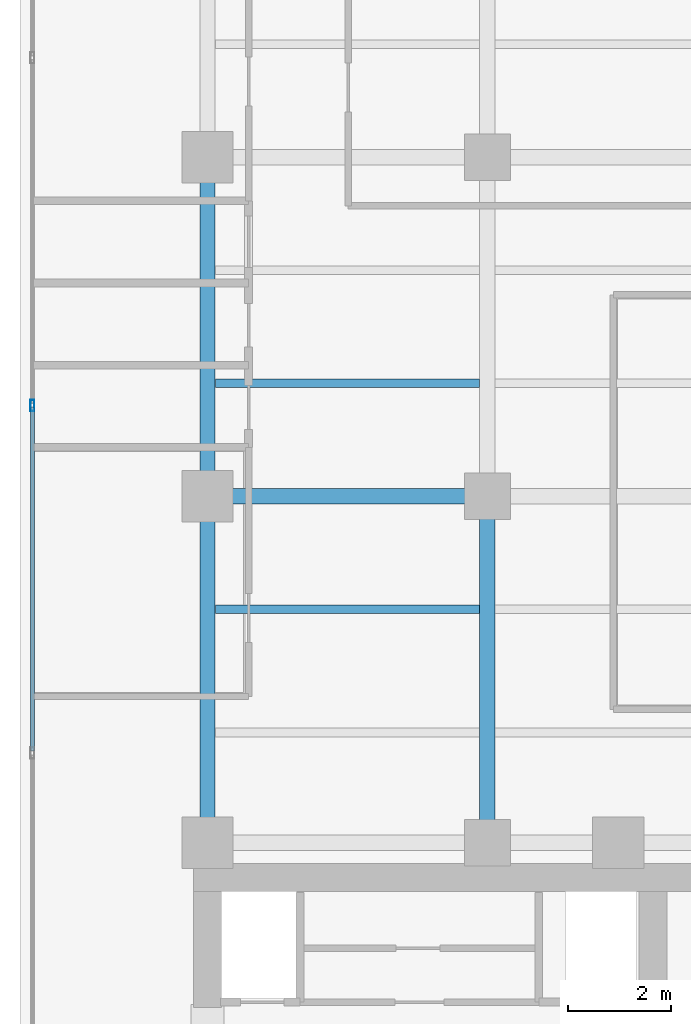
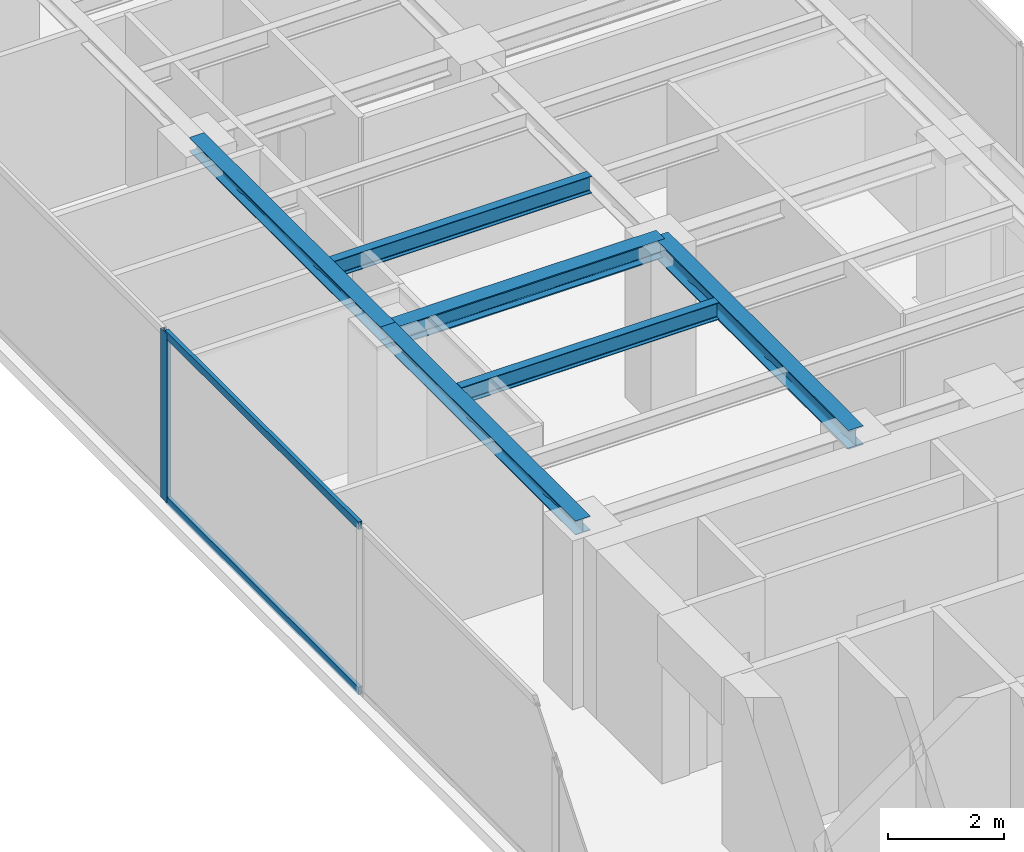
# One storey, part 7 of 23: 6 beams, 3 members, 1 element without a shape of its own.
"""IFC4 building model written with IfcOpenShell, lengths in metres."""

from ifc_helpers import new_model, si_unit, direction, frame, origin, origin_with_axes, origin_2d, place, context, subcontext, project, spatial, hollow_rectangle, i_section, extrude, source, transform, mapped, material, layer, layer_set, material_profile, profile_set, type_object, element, aggregate, save


model = new_model("IFC4")

# Units and contexts
model_context = context("Model", 3, precision=1e-05, world=origin(), true_north=direction((0.0, 1.0)))
body_context = subcontext(model_context, "Body", "Model", "MODEL_VIEW")
ifc_project = project(units=[si_unit("LENGTHUNIT", "METRE"), si_unit("AREAUNIT", "SQUARE_METRE"), si_unit("VOLUMEUNIT", "CUBIC_METRE"), si_unit("PLANEANGLEUNIT", "RADIAN"), si_unit("MASSUNIT", "GRAM", prefix="KILO")], contexts=[model_context])

# Site, building, storey
site_placement = place(None, origin())
site = spatial("IfcSite", under=ifc_project, at=site_placement, CompositionType="ELEMENT")
building_placement = place(site_placement, origin())
building = spatial("IfcBuilding", under=site, at=building_placement, Name="Kolvaren Waterfront Exchange", CompositionType="ELEMENT")
storey_placement = place(building_placement, frame((0.0, 0.0, 212.10009765625)))
storey = spatial("IfcBuildingStorey", under=building, at=storey_placement, Name="L54", CompositionType="ELEMENT", Elevation=212.10009765625)

# Beams
ifc_material_1 = material(Name="Steel S355", Category="steel")
ifc_material_profile_1 = material_profile(ifc_material_1, i_section(OverallWidth=0.300048828125, OverallDepth=0.300048828125, WebThickness=0.010986328125, FlangeThickness=0.01904296875, FilletRadius=0.027099609375, at=origin_2d()), Name="HEB300")
ifc_profile_set_1 = profile_set([ifc_material_profile_1], Name="Steel S355")
beam_type_1 = type_object("IfcBeamType", Name="STR-BM-HEB300", PredefinedType="SPANDREL", material=ifc_profile_set_1)
beam_1_placement = place(storey_placement, frame((7.449951171875, 24.449951171875, 3.409912109375), z_axis=(0.0, 1.0, 0.0), x_axis=(-1.0, 0.0, 0.0)))
element("IfcBeam", 1, at=beam_1_placement, inside=storey, type_object=beam_type_1, Name="L54 north-arm edge beam 1", PredefinedType="SPANDREL", context=body_context, shape_type="SweptSolid", body=[
    extrude(i_section(OverallWidth=0.300048828125, OverallDepth=0.300048828125, WebThickness=0.010986328125, FlangeThickness=0.01904296875, FilletRadius=0.027099609375, at=origin_2d()), origin(), (0.0, 0.0, 1.0), 6.75),
])
beam_2_placement = place(storey_placement, frame((7.449951171875, 31.199951171875, 3.409912109375), z_axis=(0.0, 1.0, 0.0), x_axis=(-1.0, 0.0, 0.0)))
element("IfcBeam", 2, at=beam_2_placement, inside=storey, type_object=beam_type_1, Name="L54 north-arm edge beam 2", PredefinedType="SPANDREL", context=body_context, shape_type="SweptSolid", body=[
    extrude(i_section(OverallWidth=0.300048828125, OverallDepth=0.300048828125, WebThickness=0.010986328125, FlangeThickness=0.01904296875, FilletRadius=0.027099609375, at=origin_2d()), origin(), (0.0, 0.0, 1.0), 6.60009765625),
])
ifc_material_profile_2 = material_profile(ifc_material_1, i_section(OverallWidth=0.300048828125, OverallDepth=0.39990234375, WebThickness=0.013427734375, FlangeThickness=0.02392578125, FilletRadius=0.027099609375, at=origin_2d()), Name="HEB400")
ifc_profile_set_2 = profile_set([ifc_material_profile_2], Name="Steel S355")
beam_type_2 = type_object("IfcBeamType", Name="STR-BM-HEB400", PredefinedType="BEAM", material=ifc_profile_set_2)
beam_3_placement = place(storey_placement, frame((7.449951171875, 31.199951171875, 3.35986328125), z_axis=(1.0, 0.0, 0.0), x_axis=(0.0, 1.0, 0.0)))
element("IfcBeam", 3, at=beam_3_placement, inside=storey, type_object=beam_type_2, Name="L54 north-arm girder 2A", PredefinedType="BEAM", context=body_context, shape_type="SweptSolid", body=[
    extrude(i_section(OverallWidth=0.300048828125, OverallDepth=0.39990234375, WebThickness=0.013427734375, FlangeThickness=0.02392578125, FilletRadius=0.027099609375, at=origin_2d()), origin(), (0.0, 0.0, 1.0), 5.449951171875),
])
beam_4_placement = place(storey_placement, frame((12.89990234375, 24.449951171875, 3.35986328125), z_axis=(0.0, 1.0, 0.0), x_axis=(-1.0, 0.0, 0.0)))
element("IfcBeam", 4, at=beam_4_placement, inside=storey, type_object=beam_type_2, Name="L54 north-arm edge beam 1", PredefinedType="BEAM", context=body_context, shape_type="SweptSolid", body=[
    extrude(i_section(OverallWidth=0.300048828125, OverallDepth=0.39990234375, WebThickness=0.013427734375, FlangeThickness=0.02392578125, FilletRadius=0.027099609375, at=origin_2d()), origin(), (0.0, 0.0, 1.0), 6.75),
])
ifc_material_profile_3 = material_profile(ifc_material_1, i_section(OverallWidth=0.169921875, OverallDepth=0.360107421875, WebThickness=0.008056640625, FlangeThickness=0.0126953125, FilletRadius=0.01806640625, at=origin_2d()), Name="IPE360")
ifc_profile_set_3 = profile_set([ifc_material_profile_3], Name="Steel S355")
beam_type_3 = type_object("IfcBeamType", Name="STR-BM-IPE360", PredefinedType="JOIST", material=ifc_profile_set_3)
for number, where, z_axis, x_axis, name in (
    (5, (7.60205078125, 29.0, 3.3798828125), (1.0, 0.0, 0.0), (0.0, 1.0, 0.0), "L54 north-arm composite joist 2A"),
    (6, (7.60205078125, 33.39990234375, 3.3798828125), (1.0, 0.0, 0.0), (0.0, 1.0, 0.0), "L54 north-arm composite joist 3A"),
):
    element("IfcBeam", number, at=place(storey_placement, frame(where, z_axis=z_axis, x_axis=x_axis)), inside=storey, type_object=beam_type_3, Name=name, PredefinedType="JOIST", context=body_context, shape_type="SweptSolid", body=[
        extrude(i_section(OverallWidth=0.169921875, OverallDepth=0.360107421875, WebThickness=0.008056640625, FlangeThickness=0.0126953125, FilletRadius=0.01806640625, at=origin_2d()), origin(), (0.0, 0.0, 1.0), 5.14599609375),
    ])

# Curtain wall, members
ifc_material_2 = material(Name="Anodised aluminium 6063-T6", Category="aluminium")
ifc_layer = layer(ifc_material_2, 0.219970703125, Name="Anodised aluminium 6063-T6")
ifc_layer_set = layer_set([ifc_layer], Name="Anodised aluminium 6063-T6")
curtain_wall_type = type_object("IfcCurtainWallType", Name="ARC-CW-SYS2", PredefinedType="USERDEFINED", material=ifc_layer_set)
curtain_wall_placement = place(storey_placement, origin())
curtain_wall = element("IfcCurtainWall", 7, at=curtain_wall_placement, inside=storey, type_object=curtain_wall_type, Name="L54 stick curtain wall CW2 (CW-L54-W)", ObjectType="STICK CURTAIN WALL", PredefinedType="USERDEFINED")
ifc_material_profile_4 = material_profile(ifc_material_2, hollow_rectangle(XDim=0.074951171875, YDim=0.159912109375, WallThickness=0.00439453125, at=origin_2d()), Name="ALU-TRN-160x75x4.5")
ifc_profile_set_4 = profile_set([ifc_material_profile_4], Name="Anodised aluminium 6063-T6")
member_type_1 = type_object("IfcMemberType", Name="ARC-CWT-160", PredefinedType="USERDEFINED", material=ifc_profile_set_4)
shared_shape_1 = source(origin_with_axes(), body_context, "Body", "SweptSolid", [
    extrude(hollow_rectangle(XDim=0.074951171875, YDim=0.159912109375, WallThickness=0.00439453125, at=origin_2d()), origin(), (0.0, 0.0, 1.0), 6.686767578125),
])
member_1_placement = place(storey_placement, frame((4.0400390625, 26.239990234375, 0.037353515625), z_axis=(0.0, 1.0, 0.0), x_axis=(-1.0, 0.0, 0.0)))
member_1 = element("IfcMember", 8, at=member_1_placement, type_object=member_type_1, Name="CW2 transom 4.1", ObjectType="TRANSOM", PredefinedType="USERDEFINED", context=body_context, shape_type="MappedRepresentation", body=[
    mapped(shared_shape_1, transform((0.0, 0.0, 0.0), x_axis=(1.0, 0.0, 0.0), y_axis=(0.0, 1.0, 0.0), z_axis=(0.0, 0.0, 1.0), scale=1.0)),
])
member_2_placement = place(storey_placement, frame((4.0400390625, 26.239990234375, 3.5224609375), z_axis=(0.0, 1.0, 0.0), x_axis=(-1.0, 0.0, 0.0)))
member_2 = element("IfcMember", 9, at=member_2_placement, type_object=member_type_1, Name="CW2 transom 4.2", ObjectType="TRANSOM", PredefinedType="USERDEFINED", context=body_context, shape_type="MappedRepresentation", body=[
    mapped(shared_shape_1, transform((0.0, 0.0, 0.0), x_axis=(1.0, 0.0, 0.0), y_axis=(0.0, 1.0, 0.0), z_axis=(0.0, 0.0, 1.0), scale=1.0)),
])
ifc_material_profile_5 = material_profile(ifc_material_2, hollow_rectangle(XDim=0.080078125, YDim=0.219970703125, WallThickness=0.0048828125, at=origin_2d()), Name="ALU-MUL-220x80x5")
ifc_profile_set_5 = profile_set([ifc_material_profile_5], Name="Anodised aluminium 6063-T6")
member_type_2 = type_object("IfcMemberType", Name="ARC-CWM-220", PredefinedType="MULLION", material=ifc_profile_set_5)
shared_shape_2 = source(origin_with_axes(), body_context, "Body", "SweptSolid", [
    extrude(hollow_rectangle(XDim=0.080078125, YDim=0.219970703125, WallThickness=0.0048828125, at=origin_2d()), origin(), (0.0, 0.0, 1.0), 3.559814453125),
])
member_3_placement = place(storey_placement, frame((4.0400390625, 32.966552734375, 0.0), z_axis=(0.0, 0.0, 1.0), x_axis=(-1.0, 0.0, 0.0)))
member_3 = element("IfcMember", 10, at=member_3_placement, type_object=member_type_2, Name="CW2 mullion 5", PredefinedType="MULLION", context=body_context, shape_type="MappedRepresentation", body=[
    mapped(shared_shape_2, transform((0.0, 0.0, 0.0), x_axis=(1.0, 0.0, 0.0), y_axis=(0.0, 1.0, 0.0), z_axis=(0.0, 0.0, 1.0), scale=1.0)),
])
aggregate(curtain_wall, [member_3, member_1, member_2])

save(model, "model.ifc")
